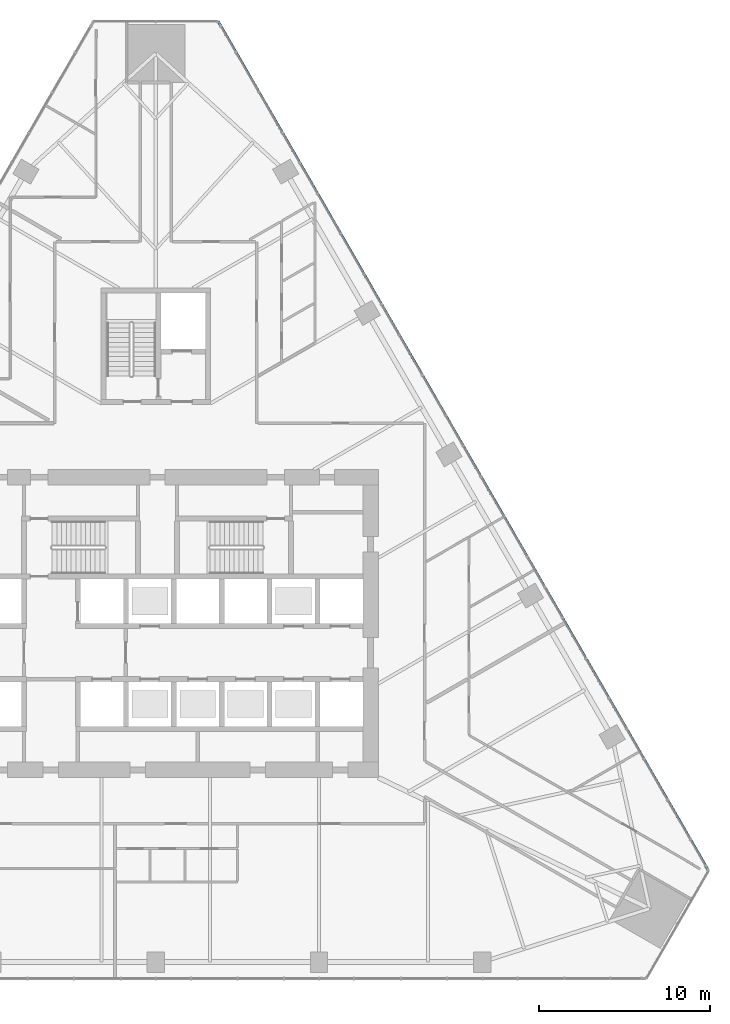
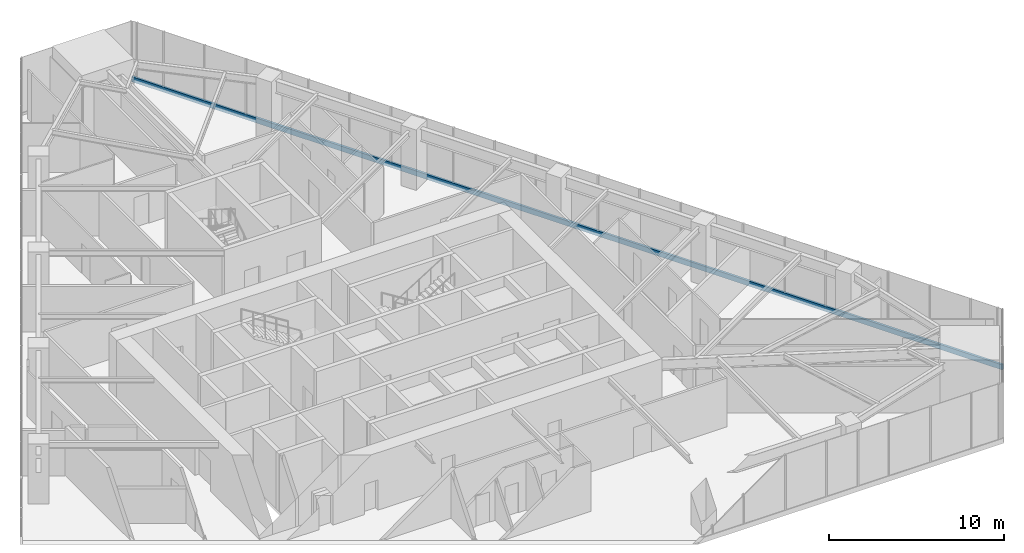
# One storey, part 9 of 26: 1 member, 1 element without a shape of its own.
"""IFC4 building model written with IfcOpenShell, lengths in metres."""

from ifc_helpers import new_model, si_unit, direction, frame, origin, origin_2d, place, context, subcontext, project, spatial, rectangle, extrude, material, layer, layer_set, material_profile, profile_set, type_object, element, aggregate, save


model = new_model("IFC4")

# Units and contexts
model_context = context("Model", 3, precision=1e-05, world=origin(), true_north=direction((0.0, 1.0)))
body_context = subcontext(model_context, "Body", "Model", "MODEL_VIEW")
ifc_project = project(units=[si_unit("LENGTHUNIT", "METRE"), si_unit("AREAUNIT", "SQUARE_METRE"), si_unit("VOLUMEUNIT", "CUBIC_METRE"), si_unit("PLANEANGLEUNIT", "RADIAN"), si_unit("MASSUNIT", "GRAM", prefix="KILO")], contexts=[model_context])

# Site, building, storey
site_placement = place(None, origin())
site = spatial("IfcSite", under=ifc_project, at=site_placement, CompositionType="ELEMENT")
building_placement = place(site_placement, origin())
building = spatial("IfcBuilding", under=site, at=building_placement, Name="Firuza Gate Tower and Library", CompositionType="ELEMENT")
storey_placement = place(building_placement, frame((0.0, 0.0, 65.199951171875)))
storey = spatial("IfcBuildingStorey", under=building, at=storey_placement, Name="L14", CompositionType="ELEMENT", Elevation=65.199951171875)

# Curtain wall, member
ifc_material_1 = material(Name="Aluminium 6063-T6", Category="aluminium")
ifc_layer = layer(ifc_material_1, 0.14990234375)
ifc_layer_set = layer_set([ifc_layer], Name="Unitised curtain wall, offices")
curtain_wall_type = type_object("IfcCurtainWallType", Name="Unitised curtain wall, offices", PredefinedType="NOTDEFINED", material=ifc_layer_set)
curtain_wall_placement = place(storey_placement, origin())
curtain_wall = element("IfcCurtainWall", 1, at=curtain_wall_placement, inside=storey, type_object=curtain_wall_type, Name="CW1 L14 E face", PredefinedType="NOTDEFINED")
ifc_material_2 = material(Name="Aluminium 6063-T6", Category="aluminium")
ifc_material_profile = material_profile(ifc_material_2, rectangle(XDim=0.14990234375, YDim=0.35009765625, at=origin_2d()))
ifc_profile_set = profile_set([ifc_material_profile], Name="Aluminium 6063-T6")
member_type = type_object("IfcMemberType", Name="Curtain wall transom 350x150", PredefinedType="USERDEFINED", material=ifc_profile_set)
member_placement = place(storey_placement, frame((107.2900390625, 60.564208984375, -0.02490234375), z_axis=(-0.499999346088, 0.866025781321, 0.0), x_axis=(-0.866025781321, -0.499999346088, 0.0)))
member = element("IfcMember", 2, at=member_placement, type_object=member_type, Name="Transom", ObjectType="TRANSOM", PredefinedType="USERDEFINED", context=body_context, shape_type="SweptSolid", body=[
    extrude(rectangle(XDim=0.14990234375, YDim=0.35009765625, at=origin_2d()), origin(), (0.0, 0.0, 1.0), 57.29345703125),
])
aggregate(curtain_wall, [member])

save(model, "model.ifc")
